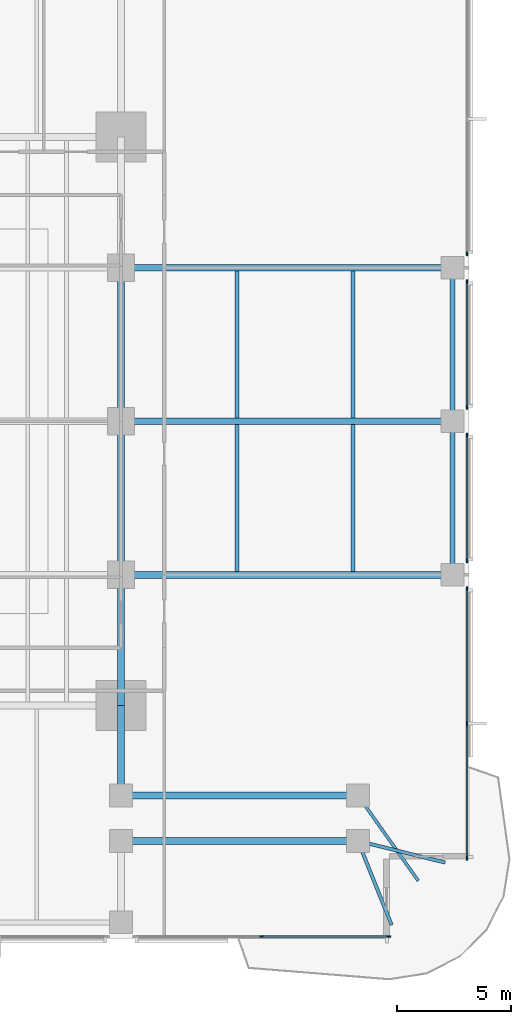
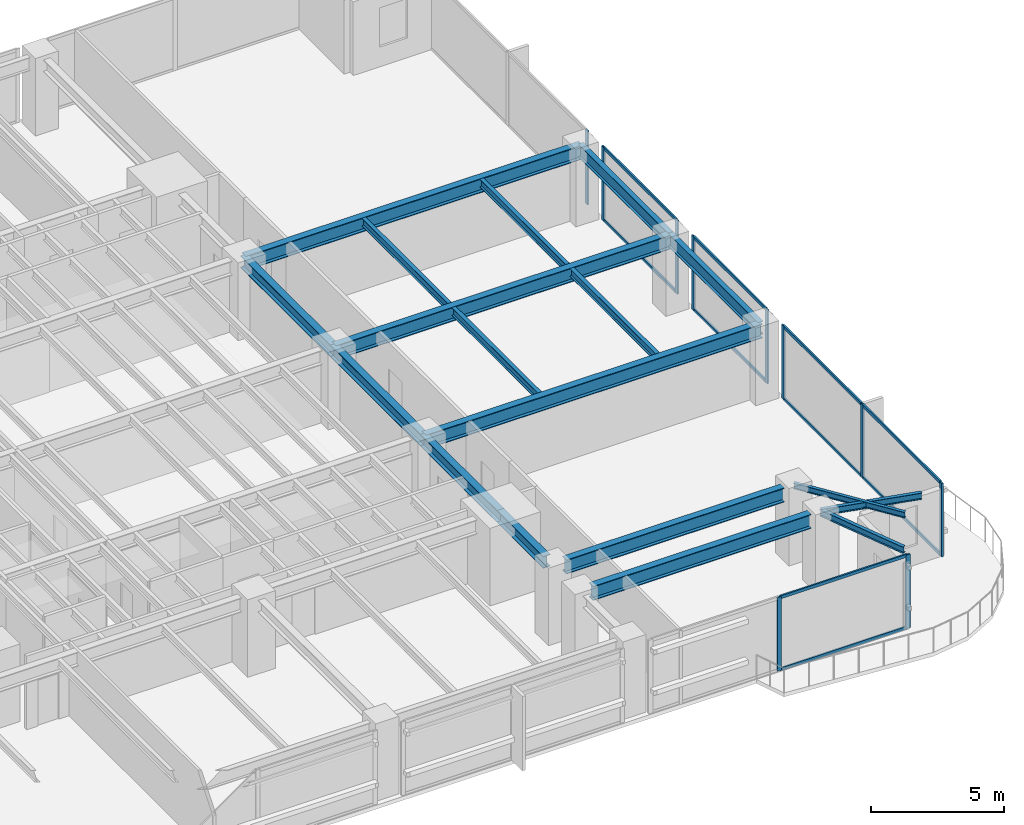
# One storey, part 4 of 15: 20 members, 18 beams, 5 elements without a shape of their own.
"""IFC4 building model written with IfcOpenShell, lengths in metres."""

import ifcopenshell
import ifcopenshell.guid

model = None  # the IFC model being written
_history = None  # IfcOwnerHistory: only IFC2X3 demands one
_inside = {}  # id of a spatial element -> (the spatial element, [elements in it])
_under = {}  # id of a project, library or spatial element -> (it, [spatial elements below it])
_declared = {}  # id of a project -> (the project, [libraries it declares])
_typed = {}  # id of a type object -> (the type object, [elements of that type])
_made_of = {}  # id of a material, layer set ... -> (it, [elements and type objects made of it])


def new_model(schema):
    """Start an empty IFC model of exactly this schema.

    Asked for "IFC4X3", IfcOpenShell would pick the latest addendum, in which some entities
    have other attributes; the version numbers below select the first issue.
    IFC2X3 requires an IfcOwnerHistory on every rooted entity: one is made here for all.
    """
    global model, _history
    if schema == "IFC4X3":
        model = ifcopenshell.file(schema_version=(4, 3, 0, 0))
    else:
        model = ifcopenshell.file(schema=schema)
    _inside.clear()
    _under.clear()
    _declared.clear()
    _typed.clear()
    _made_of.clear()
    _history = None
    if model.schema == "IFC2X3":
        org = make("IfcOrganization", Name="unknown")
        user = make(
            "IfcPersonAndOrganization",
            ThePerson=make("IfcPerson", FamilyName="unknown"),
            TheOrganization=org,
        )
        app = make(
            "IfcApplication",
            ApplicationDeveloper=org,
            Version="unknown",
            ApplicationFullName="unknown",
            ApplicationIdentifier="unknown",
        )
        _history = make(
            "IfcOwnerHistory",
            OwningUser=user,
            OwningApplication=app,
            ChangeAction="ADDED",
            CreationDate=0,
        )
    return model


def make(cls, **values):
    """One entity of the class cls with the attributes given. An attribute that is None is left unset."""
    return model.create_entity(
        cls, **{name: value for name, value in values.items() if value is not None}
    )


def rooted(cls, **values):
    """An entity with a GlobalId (a new one), such as an element, a storey or a relation."""
    return make(cls, GlobalId=ifcopenshell.guid.new(), OwnerHistory=_history, **values)


def si_unit(unit_type, name, prefix=None):
    """IfcSIUnit, for example si_unit("LENGTHUNIT", "METRE", prefix="MILLI")."""
    return make("IfcSIUnit", UnitType=unit_type, Prefix=prefix, Name=name)


def assignment(units):
    """IfcUnitAssignment: the units of a project."""
    return None if units is None else make("IfcUnitAssignment", Units=units)


def point(xyz):
    """IfcCartesianPoint."""
    return None if xyz is None else make("IfcCartesianPoint", Coordinates=xyz)


def direction(xyz):
    """IfcDirection."""
    return None if xyz is None else make("IfcDirection", DirectionRatios=xyz)


def frame(location, z_axis=None, x_axis=None):
    """IfcAxis2Placement3D, a coordinate frame: its origin and axes. An axis left out is left unset."""
    return make(
        "IfcAxis2Placement3D",
        Location=point(location),
        Axis=direction(z_axis),
        RefDirection=direction(x_axis),
    )


def frame_2d(location, x_axis=None):
    """IfcAxis2Placement2D, a coordinate frame in the plane: its origin and x axis."""
    return make(
        "IfcAxis2Placement2D", Location=point(location), RefDirection=direction(x_axis)
    )


def origin():
    """The frame at (0, 0, 0) with its axes left unset."""
    return frame((0.0, 0.0, 0.0))


def origin_2d():
    """The frame at (0, 0) in the plane with its x axis left unset."""
    return frame_2d((0.0, 0.0))


def place(relative_to, where):
    """IfcLocalPlacement: puts the frame where relative to a parent placement (None: the world)."""
    return make(
        "IfcLocalPlacement", PlacementRelTo=relative_to, RelativePlacement=where
    )


def context(
    kind, dimensions, precision=None, world=None, true_north=None, identifier=None
):
    """IfcGeometricRepresentationContext, for example the 3D "Model" context."""
    return make(
        "IfcGeometricRepresentationContext",
        ContextIdentifier=identifier,
        ContextType=kind,
        CoordinateSpaceDimension=dimensions,
        Precision=precision,
        WorldCoordinateSystem=world,
        TrueNorth=true_north,
    )


def subcontext(parent, identifier, kind, view, scale=None):
    """IfcGeometricRepresentationSubContext, for example "Body" below "Model"."""
    return make(
        "IfcGeometricRepresentationSubContext",
        ContextIdentifier=identifier,
        ContextType=kind,
        ParentContext=parent,
        TargetScale=scale,
        TargetView=view,
    )


def project(units=None, contexts=None):
    """IfcProject with its units and contexts."""
    return rooted(
        "IfcProject",
        Name="project",
        RepresentationContexts=contexts,
        UnitsInContext=assignment(units),
    )


def spatial(cls, under=None, at=None, **own):
    """A site, building, storey or space (cls), placed at a placement, below another one or the project."""
    s = rooted(cls, ObjectPlacement=at, **own)
    if under is not None:
        _under.setdefault(under.id(), (under, []))[1].append(s)
    return s


def profile(cls, at=None, kind="AREA", **sizes):
    """A parametric profile (cls). Its sizes go by their IFC names, for example OverallWidth=200.0."""
    return make(cls, ProfileType=kind, Position=at, **sizes)


def rectangle(**sizes):
    """IfcRectangleProfileDef."""
    return profile("IfcRectangleProfileDef", **sizes)


def i_section(**sizes):
    """IfcIShapeProfileDef."""
    return profile("IfcIShapeProfileDef", **sizes)


def extrude(swept, where, along, depth):
    """IfcExtrudedAreaSolid: the profile swept, set in the frame where, extruded along a direction by depth."""
    return make(
        "IfcExtrudedAreaSolid",
        SweptArea=swept,
        Position=where,
        ExtrudedDirection=direction(along),
        Depth=depth,
    )


def shape(context_of_items, identifier, shape_type, items):
    """IfcShapeRepresentation: the items that make up one representation, for example the "Body"."""
    return make(
        "IfcShapeRepresentation",
        ContextOfItems=context_of_items,
        RepresentationIdentifier=identifier,
        RepresentationType=shape_type,
        Items=items,
    )


def material(Name=None, Category=None):
    """IfcMaterial."""
    return make("IfcMaterial", Name=Name, Category=Category)


def layer(
    of_material, thickness, ventilated=None, Name=None, Category=None, Priority=None
):
    """IfcMaterialLayer: one layer of a wall or slab, of a material (None: an air gap)."""
    return make(
        "IfcMaterialLayer",
        Material=of_material,
        LayerThickness=thickness,
        IsVentilated=ventilated,
        Name=Name,
        Category=Category,
        Priority=Priority,
    )


def layer_set(layers, Name=None):
    """IfcMaterialLayerSet."""
    return make("IfcMaterialLayerSet", MaterialLayers=layers, LayerSetName=Name)


def material_profile(
    of_material, cross_section, Name=None, Category=None, Priority=None
):
    """IfcMaterialProfile: a cross section and its material."""
    return make(
        "IfcMaterialProfile",
        Name=Name,
        Material=of_material,
        Profile=cross_section,
        Priority=Priority,
        Category=Category,
    )


def profile_set(profiles, Name=None, composite=None):
    """IfcMaterialProfileSet."""
    return make(
        "IfcMaterialProfileSet",
        Name=Name,
        MaterialProfiles=profiles,
        CompositeProfile=composite,
    )


def made_of(thing, what):
    """Note that an element or type object is made of a material, layer set ...; save() writes the relation."""
    if what is not None:
        _made_of.setdefault(what.id(), (what, []))[1].append(thing)
    return thing


def type_object(cls, material=None, **own):
    """A type object (cls), such as IfcWallType, which elements share."""
    return made_of(rooted(cls, **own), material)


def element(
    cls,
    number,
    at=None,
    inside=None,
    cuts=None,
    type_object=None,
    material=None,
    context=None,
    identifier="Body",
    shape_type=None,
    held_by="IfcProductDefinitionShape",
    body=None,
    shapes=None,
    **own,
):
    """One element of the class cls, such as IfcWall. Its Tag is "e" and its number.

    at: its placement. inside: the storey or other place that contains it. cuts: it is an
    opening in that element (IfcRelVoidsElement). A single representation is given by context,
    identifier, shape_type and body (its items); several are given by shapes. held_by: the class
    of the entity that holds the representations. save() writes the other relations.
    """
    e = rooted(cls, Tag="e%d" % number, ObjectPlacement=at, **own)
    if body is not None:
        shapes = [shape(context, identifier, shape_type, body)]
    if shapes is not None:
        e.Representation = make(held_by, Representations=shapes)
    if inside is not None:
        _inside.setdefault(inside.id(), (inside, []))[1].append(e)
    if cuts is not None:
        rooted(
            "IfcRelVoidsElement", RelatingBuildingElement=cuts, RelatedOpeningElement=e
        )
    if type_object is not None:
        _typed.setdefault(type_object.id(), (type_object, []))[1].append(e)
    return made_of(e, material)


def aggregate(whole, parts):
    """IfcRelAggregates: a whole, such as a stair, and the parts it consists of."""
    return rooted("IfcRelAggregates", RelatingObject=whole, RelatedObjects=parts)


def save(model, path):
    """Write the relations noted so far, then the file.

    IfcRelAggregates (storeys below a building ...), IfcRelContainedInSpatialStructure (elements
    in a storey), IfcRelDefinesByType, IfcRelAssociatesMaterial and IfcRelDeclares: one each for
    every whole, place, type object, material and project.
    """
    for whole, parts in _under.values():
        aggregate(whole, parts)
    for where, things in _inside.values():
        rooted(
            "IfcRelContainedInSpatialStructure",
            RelatedElements=things,
            RelatingStructure=where,
        )
    for kind, things in _typed.values():
        rooted("IfcRelDefinesByType", RelatedObjects=things, RelatingType=kind)
    for what, things in _made_of.values():
        rooted("IfcRelAssociatesMaterial", RelatedObjects=things, RelatingMaterial=what)
    for by, libraries in _declared.values():
        rooted("IfcRelDeclares", RelatingContext=by, RelatedDefinitions=libraries)
    model.write(path)


model = new_model("IFC4")

# Units and contexts
model_context = context("Model", 3, precision=1e-05, world=origin(), true_north=direction((0.0, 1.0)))
body_context = subcontext(model_context, "Body", "Model", "MODEL_VIEW")
ifc_project = project(units=[si_unit("LENGTHUNIT", "METRE"), si_unit("AREAUNIT", "SQUARE_METRE"), si_unit("VOLUMEUNIT", "CUBIC_METRE"), si_unit("PLANEANGLEUNIT", "RADIAN"), si_unit("MASSUNIT", "GRAM", prefix="KILO")], contexts=[model_context])

# Site, building, storey
site_placement = place(None, origin())
site = spatial("IfcSite", under=ifc_project, at=site_placement, CompositionType="ELEMENT")
building_placement = place(site_placement, origin())
building = spatial("IfcBuilding", under=site, at=building_placement, Name="Kinhvarn Gate Tower", CompositionType="ELEMENT")
storey_placement = place(building_placement, frame((0.0, 0.0, 50.449951171875)))
storey = spatial("IfcBuildingStorey", under=building, at=storey_placement, Name="L12", CompositionType="ELEMENT", Elevation=50.449951171875)

# Curtain wall, members
ifc_material_1 = material(Name="Anodised aluminium AW-6063", Category="aluminium")
ifc_layer = layer(ifc_material_1, 0.179931640625)
ifc_layer_set = layer_set([ifc_layer], Name="Anodised aluminium AW-6063")
curtain_wall_type = type_object("IfcCurtainWallType", Name="CW-SYS-2", PredefinedType="NOTDEFINED", material=ifc_layer_set)
curtain_wall_1_placement = place(storey_placement, origin())
curtain_wall_1 = element("IfcCurtainWall", 1, at=curtain_wall_1_placement, inside=storey, type_object=curtain_wall_type, Name="Curtain Wall CW2 (L12)", PredefinedType="NOTDEFINED")
ifc_material_profile_1 = material_profile(ifc_material_1, rectangle(XDim=0.070068359375, YDim=0.179931640625, at=origin_2d()), Name="ALU 70x180")
ifc_profile_set_1 = profile_set([ifc_material_profile_1], Name="Anodised aluminium AW-6063")
member_type_1 = type_object("IfcMemberType", Name="CW-MUL-180", PredefinedType="MULLION", material=ifc_profile_set_1)
member_1_placement = place(storey_placement, frame((44.389892578125, 2.590087890625, 0.0), z_axis=(0.0, 0.0, 1.0), x_axis=(0.0, 1.0, 0.0)))
member_1 = element("IfcMember", 2, at=member_1_placement, type_object=member_type_1, Name="CW2 mullion 2", PredefinedType="MULLION", context=body_context, shape_type="SweptSolid", body=[
    extrude(rectangle(XDim=0.070068359375, YDim=0.179931640625, at=origin_2d()), origin(), (0.0, 0.0, 1.0), 3.3701171875),
])
member_2_placement = place(storey_placement, frame((49.965087890625, 2.590087890625, 0.0), z_axis=(0.0, 0.0, 1.0), x_axis=(0.0, 1.0, 0.0)))
member_2 = element("IfcMember", 3, at=member_2_placement, type_object=member_type_1, Name="CW2 mullion 3", PredefinedType="MULLION", context=body_context, shape_type="SweptSolid", body=[
    extrude(rectangle(XDim=0.070068359375, YDim=0.179931640625, at=origin_2d()), origin(), (0.0, 0.0, 1.0), 3.3701171875),
])

curtain_wall_2_placement = place(storey_placement, origin())
curtain_wall_2 = element("IfcCurtainWall", 4, at=curtain_wall_2_placement, inside=storey, type_object=curtain_wall_type, Name="Curtain Wall CW2 (L12)", PredefinedType="NOTDEFINED")
member_3_placement = place(storey_placement, frame((53.409912109375, 6.034912109375, 0.0), z_axis=(0.0, 0.0, 1.0), x_axis=(-1.0, 0.0, 0.0)))
member_3 = element("IfcMember", 5, at=member_3_placement, type_object=member_type_1, Name="CW2 mullion 1", PredefinedType="MULLION", context=body_context, shape_type="SweptSolid", body=[
    extrude(rectangle(XDim=0.070068359375, YDim=0.179931640625, at=origin_2d()), origin(), (0.0, 0.0, 1.0), 3.3701171875),
])
member_4_placement = place(storey_placement, frame((53.409912109375, 11.9599609375, 0.0), z_axis=(0.0, 0.0, 1.0), x_axis=(-1.0, 0.0, 0.0)))
member_4 = element("IfcMember", 6, at=member_4_placement, type_object=member_type_1, Name="CW2 mullion 2", PredefinedType="MULLION", context=body_context, shape_type="SweptSolid", body=[
    extrude(rectangle(XDim=0.070068359375, YDim=0.179931640625, at=origin_2d()), origin(), (0.0, 0.0, 1.0), 3.3701171875),
])
member_5_placement = place(storey_placement, frame((53.409912109375, 17.885009765625, 0.0), z_axis=(0.0, 0.0, 1.0), x_axis=(-1.0, 0.0, 0.0)))
member_5 = element("IfcMember", 7, at=member_5_placement, type_object=member_type_1, Name="CW2 mullion 3", PredefinedType="MULLION", context=body_context, shape_type="SweptSolid", body=[
    extrude(rectangle(XDim=0.070068359375, YDim=0.179931640625, at=origin_2d()), origin(), (0.0, 0.0, 1.0), 3.3701171875),
])

curtain_wall_3_placement = place(storey_placement, origin())
curtain_wall_3 = element("IfcCurtainWall", 8, at=curtain_wall_3_placement, inside=storey, type_object=curtain_wall_type, Name="Curtain Wall CW2 (L12)", PredefinedType="NOTDEFINED")
member_6_placement = place(storey_placement, frame((53.409912109375, 19.114990234375, 0.0), z_axis=(0.0, 0.0, 1.0), x_axis=(-1.0, 0.0, 0.0)))
member_6 = element("IfcMember", 9, at=member_6_placement, type_object=member_type_1, Name="CW2 mullion 1", PredefinedType="MULLION", context=body_context, shape_type="SweptSolid", body=[
    extrude(rectangle(XDim=0.070068359375, YDim=0.179931640625, at=origin_2d()), origin(), (0.0, 0.0, 1.0), 3.3701171875),
])
member_7_placement = place(storey_placement, frame((53.409912109375, 24.635009765625, 0.0), z_axis=(0.0, 0.0, 1.0), x_axis=(-1.0, 0.0, 0.0)))
member_7 = element("IfcMember", 10, at=member_7_placement, type_object=member_type_1, Name="CW2 mullion 2", PredefinedType="MULLION", context=body_context, shape_type="SweptSolid", body=[
    extrude(rectangle(XDim=0.070068359375, YDim=0.179931640625, at=origin_2d()), origin(), (0.0, 0.0, 1.0), 3.3701171875),
])

curtain_wall_4_placement = place(storey_placement, origin())
curtain_wall_4 = element("IfcCurtainWall", 11, at=curtain_wall_4_placement, inside=storey, type_object=curtain_wall_type, Name="Curtain Wall CW2 (L12)", PredefinedType="NOTDEFINED")
member_8_placement = place(storey_placement, frame((53.409912109375, 25.864990234375, 0.0), z_axis=(0.0, 0.0, 1.0), x_axis=(-1.0, 0.0, 0.0)))
member_8 = element("IfcMember", 12, at=member_8_placement, type_object=member_type_1, Name="CW2 mullion 1", PredefinedType="MULLION", context=body_context, shape_type="SweptSolid", body=[
    extrude(rectangle(XDim=0.070068359375, YDim=0.179931640625, at=origin_2d()), origin(), (0.0, 0.0, 1.0), 3.3701171875),
])
member_9_placement = place(storey_placement, frame((53.409912109375, 31.385009765625, 0.0), z_axis=(0.0, 0.0, 1.0), x_axis=(-1.0, 0.0, 0.0)))
member_9 = element("IfcMember", 13, at=member_9_placement, type_object=member_type_1, Name="CW2 mullion 2", PredefinedType="MULLION", context=body_context, shape_type="SweptSolid", body=[
    extrude(rectangle(XDim=0.070068359375, YDim=0.179931640625, at=origin_2d()), origin(), (0.0, 0.0, 1.0), 3.3701171875),
])

# Curtain wall, member
curtain_wall_5_placement = place(storey_placement, origin())
curtain_wall_5 = element("IfcCurtainWall", 14, at=curtain_wall_5_placement, inside=storey, type_object=curtain_wall_type, Name="Curtain Wall CW2 (L12)", PredefinedType="NOTDEFINED")
member_10_placement = place(storey_placement, frame((53.409912109375, 32.614990234375, 0.0), z_axis=(0.0, 0.0, 1.0), x_axis=(-1.0, 0.0, 0.0)))
member_10 = element("IfcMember", 15, at=member_10_placement, type_object=member_type_1, Name="CW2 mullion 1", PredefinedType="MULLION", context=body_context, shape_type="SweptSolid", body=[
    extrude(rectangle(XDim=0.070068359375, YDim=0.179931640625, at=origin_2d()), origin(), (0.0, 0.0, 1.0), 3.3701171875),
])
aggregate(curtain_wall_5, [member_10])

# Member
ifc_material_profile_2 = material_profile(ifc_material_1, rectangle(XDim=0.070068359375, YDim=0.139892578125, at=origin_2d()), Name="ALU 70x140")
ifc_profile_set_2 = profile_set([ifc_material_profile_2], Name="Anodised aluminium AW-6063")
member_type_2 = type_object("IfcMemberType", Name="CW-TRN-140", PredefinedType="USERDEFINED", material=ifc_profile_set_2)
member_11_placement = place(storey_placement, frame((44.425048828125, 2.590087890625, 0.03515625), z_axis=(1.0, 0.0, 0.0), x_axis=(0.0, 1.0, 0.0)))
member_11 = element("IfcMember", 16, at=member_11_placement, type_object=member_type_2, Name="CW2 transom 2.1", ObjectType="TRANSOM", PredefinedType="USERDEFINED", context=body_context, shape_type="SweptSolid", body=[
    extrude(rectangle(XDim=0.070068359375, YDim=0.139892578125, at=origin_2d()), origin(), (0.0, 0.0, 1.0), 5.5048828125),
])

member_12_placement = place(storey_placement, frame((44.425048828125, 2.590087890625, 3.3349609375), z_axis=(1.0, 0.0, 0.0), x_axis=(0.0, 1.0, 0.0)))
member_12 = element("IfcMember", 17, at=member_12_placement, type_object=member_type_2, Name="CW2 transom 2.2", ObjectType="TRANSOM", PredefinedType="USERDEFINED", context=body_context, shape_type="SweptSolid", body=[
    extrude(rectangle(XDim=0.070068359375, YDim=0.139892578125, at=origin_2d()), origin(), (0.0, 0.0, 1.0), 5.5048828125),
])

aggregate(curtain_wall_1, [member_1, member_2, member_11, member_12])

member_13_placement = place(storey_placement, frame((53.409912109375, 6.070068359375, 0.03515625), z_axis=(0.0, 1.0, 0.0), x_axis=(-1.0, 0.0, 0.0)))
member_13 = element("IfcMember", 18, at=member_13_placement, type_object=member_type_2, Name="CW2 transom 1.1", ObjectType="TRANSOM", PredefinedType="USERDEFINED", context=body_context, shape_type="SweptSolid", body=[
    extrude(rectangle(XDim=0.070068359375, YDim=0.139892578125, at=origin_2d()), origin(), (0.0, 0.0, 1.0), 5.85498046875),
])

member_14_placement = place(storey_placement, frame((53.409912109375, 6.070068359375, 3.3349609375), z_axis=(0.0, 1.0, 0.0), x_axis=(-1.0, 0.0, 0.0)))
member_14 = element("IfcMember", 19, at=member_14_placement, type_object=member_type_2, Name="CW2 transom 1.2", ObjectType="TRANSOM", PredefinedType="USERDEFINED", context=body_context, shape_type="SweptSolid", body=[
    extrude(rectangle(XDim=0.070068359375, YDim=0.139892578125, at=origin_2d()), origin(), (0.0, 0.0, 1.0), 5.85498046875),
])

member_15_placement = place(storey_placement, frame((53.409912109375, 11.9951171875, 0.03515625), z_axis=(0.0, 1.0, 0.0), x_axis=(-1.0, 0.0, 0.0)))
member_15 = element("IfcMember", 20, at=member_15_placement, type_object=member_type_2, Name="CW2 transom 2.1", ObjectType="TRANSOM", PredefinedType="USERDEFINED", context=body_context, shape_type="SweptSolid", body=[
    extrude(rectangle(XDim=0.070068359375, YDim=0.139892578125, at=origin_2d()), origin(), (0.0, 0.0, 1.0), 5.85498046875),
])

member_16_placement = place(storey_placement, frame((53.409912109375, 11.9951171875, 3.3349609375), z_axis=(0.0, 1.0, 0.0), x_axis=(-1.0, 0.0, 0.0)))
member_16 = element("IfcMember", 21, at=member_16_placement, type_object=member_type_2, Name="CW2 transom 2.2", ObjectType="TRANSOM", PredefinedType="USERDEFINED", context=body_context, shape_type="SweptSolid", body=[
    extrude(rectangle(XDim=0.070068359375, YDim=0.139892578125, at=origin_2d()), origin(), (0.0, 0.0, 1.0), 5.85498046875),
])

aggregate(curtain_wall_2, [member_3, member_4, member_5, member_13, member_14, member_15, member_16])

member_17_placement = place(storey_placement, frame((53.409912109375, 19.14990234375, 0.03515625), z_axis=(0.0, 1.0, 0.0), x_axis=(-1.0, 0.0, 0.0)))
member_17 = element("IfcMember", 22, at=member_17_placement, type_object=member_type_2, Name="CW2 transom 1.1", ObjectType="TRANSOM", PredefinedType="USERDEFINED", context=body_context, shape_type="SweptSolid", body=[
    extrude(rectangle(XDim=0.070068359375, YDim=0.139892578125, at=origin_2d()), origin(), (0.0, 0.0, 1.0), 5.4501953125),
])

member_18_placement = place(storey_placement, frame((53.409912109375, 19.14990234375, 3.3349609375), z_axis=(0.0, 1.0, 0.0), x_axis=(-1.0, 0.0, 0.0)))
member_18 = element("IfcMember", 23, at=member_18_placement, type_object=member_type_2, Name="CW2 transom 1.2", ObjectType="TRANSOM", PredefinedType="USERDEFINED", context=body_context, shape_type="SweptSolid", body=[
    extrude(rectangle(XDim=0.070068359375, YDim=0.139892578125, at=origin_2d()), origin(), (0.0, 0.0, 1.0), 5.4501953125),
])

aggregate(curtain_wall_3, [member_6, member_7, member_17, member_18])

member_19_placement = place(storey_placement, frame((53.409912109375, 25.89990234375, 0.03515625), z_axis=(0.0, 1.0, 0.0), x_axis=(-1.0, 0.0, 0.0)))
member_19 = element("IfcMember", 24, at=member_19_placement, type_object=member_type_2, Name="CW2 transom 1.1", ObjectType="TRANSOM", PredefinedType="USERDEFINED", context=body_context, shape_type="SweptSolid", body=[
    extrude(rectangle(XDim=0.070068359375, YDim=0.139892578125, at=origin_2d()), origin(), (0.0, 0.0, 1.0), 5.4501953125),
])

member_20_placement = place(storey_placement, frame((53.409912109375, 25.89990234375, 3.3349609375), z_axis=(0.0, 1.0, 0.0), x_axis=(-1.0, 0.0, 0.0)))
member_20 = element("IfcMember", 25, at=member_20_placement, type_object=member_type_2, Name="CW2 transom 1.2", ObjectType="TRANSOM", PredefinedType="USERDEFINED", context=body_context, shape_type="SweptSolid", body=[
    extrude(rectangle(XDim=0.070068359375, YDim=0.139892578125, at=origin_2d()), origin(), (0.0, 0.0, 1.0), 5.4501953125),
])

aggregate(curtain_wall_4, [member_8, member_9, member_19, member_20])

# Beams
ifc_material_2 = material(Name="Steel S355", Category="steel")
ifc_material_profile_3 = material_profile(ifc_material_2, i_section(OverallWidth=0.300048828125, OverallDepth=0.550048828125, WebThickness=0.014892578125, FlangeThickness=0.029052734375, at=origin_2d()), Name="HEB 550")
ifc_profile_set_3 = profile_set([ifc_material_profile_3], Name="Steel S355")
beam_type_1 = type_object("IfcBeamType", Name="STL-HEB550", PredefinedType="BEAM", material=ifc_profile_set_3)
beam_1_placement = place(storey_placement, frame((38.199951171875, 9.284912109375, 3.094970703125), z_axis=(0.0, 1.0, 0.0), x_axis=(-1.0, 0.0, 0.0)))
element("IfcBeam", 26, at=beam_1_placement, inside=storey, type_object=beam_type_1, Name="Floor Beam PG-15 (L12 MCE-S-A2)", PredefinedType="BEAM", context=body_context, shape_type="SweptSolid", body=[
    extrude(i_section(OverallWidth=0.300048828125, OverallDepth=0.550048828125, WebThickness=0.014892578125, FlangeThickness=0.029052734375, at=origin_2d()), origin(), (0.0, 0.0, 1.0), 3.465087890625),
])
beam_2_placement = place(storey_placement, frame((38.199951171875, 12.75, 3.094970703125), z_axis=(0.0, 1.0, 0.0), x_axis=(-1.0, 0.0, 0.0)))
element("IfcBeam", 27, at=beam_2_placement, inside=storey, type_object=beam_type_1, Name="Floor Beam PG-15 (L12 MG-E-12)", PredefinedType="BEAM", context=body_context, shape_type="SweptSolid", body=[
    extrude(i_section(OverallWidth=0.300048828125, OverallDepth=0.550048828125, WebThickness=0.014892578125, FlangeThickness=0.029052734375, at=origin_2d()), origin(), (0.0, 0.0, 1.0), 5.75),
])
for number, where, z_axis, x_axis, name in (
    (28, (38.199951171875, 18.5, 3.094970703125), (0.0, 1.0, 0.0), (-1.0, 0.0, 0.0), "Floor Beam PG-15 (L12 MG-E-18)"),
    (29, (38.199951171875, 25.25, 3.094970703125), (0.0, 1.0, 0.0), (-1.0, 0.0, 0.0), "Floor Beam PG-15 (L12 MG-E-25)"),
):
    element("IfcBeam", number, at=place(storey_placement, frame(where, z_axis=z_axis, x_axis=x_axis)), inside=storey, type_object=beam_type_1, Name=name, PredefinedType="BEAM", context=body_context, shape_type="SweptSolid", body=[
        extrude(i_section(OverallWidth=0.300048828125, OverallDepth=0.550048828125, WebThickness=0.014892578125, FlangeThickness=0.029052734375, at=origin_2d()), origin(), (0.0, 0.0, 1.0), 6.75),
    ])
ifc_material_profile_4 = material_profile(ifc_material_2, i_section(OverallWidth=0.300048828125, OverallDepth=0.64990234375, WebThickness=0.01611328125, FlangeThickness=0.031005859375, at=origin_2d()), Name="HEB 650")
ifc_profile_set_4 = profile_set([ifc_material_profile_4], Name="Steel S355")
beam_type_2 = type_object("IfcBeamType", Name="STL-HEB650", PredefinedType="BEAM", material=ifc_profile_set_4)
for number, where, z_axis, x_axis, name in (
    (30, (38.68505859375, 8.800048828125, 3.045166015625), (1.0, 0.0, 0.0), (0.0, 1.0, 0.0), "Floor Beam PG-17 (L12 SP-SE1B)"),
    (31, (38.68505859375, 6.800048828125, 3.045166015625), (1.0, 0.0, 0.0), (0.0, 1.0, 0.0), "Floor Beam PG-17 (L12 SP-SE1A)"),
):
    element("IfcBeam", number, at=place(storey_placement, frame(where, z_axis=z_axis, x_axis=x_axis)), inside=storey, type_object=beam_type_2, Name=name, PredefinedType="BEAM", context=body_context, shape_type="SweptSolid", body=[
        extrude(i_section(OverallWidth=0.300048828125, OverallDepth=0.64990234375, WebThickness=0.01611328125, FlangeThickness=0.031005859375, at=origin_2d()), origin(), (0.0, 0.0, 1.0), 9.449951171875),
    ])
for number, where, z_axis, x_axis, name in (
    (32, (38.199951171875, 18.5, 3.045166015625), (1.0, 0.0, 0.0), (0.0, 1.0, 0.0), "Floor Beam PG-17 (L12 EW2-Y18)"),
    (33, (38.199951171875, 25.25, 3.045166015625), (1.0, 0.0, 0.0), (0.0, 1.0, 0.0), "Floor Beam PG-17 (L12 EW2-Y25)"),
    (34, (38.199951171875, 32.0, 3.045166015625), (1.0, 0.0, 0.0), (0.0, 1.0, 0.0), "Floor Beam PG-17 (L12 EW2-Y32)"),
):
    element("IfcBeam", number, at=place(storey_placement, frame(where, z_axis=z_axis, x_axis=x_axis)), inside=storey, type_object=beam_type_2, Name=name, PredefinedType="BEAM", context=body_context, shape_type="SweptSolid", body=[
        extrude(i_section(OverallWidth=0.300048828125, OverallDepth=0.64990234375, WebThickness=0.01611328125, FlangeThickness=0.031005859375, at=origin_2d()), origin(), (0.0, 0.0, 1.0), 14.580078125),
    ])
ifc_material_profile_5 = material_profile(ifc_material_2, i_section(OverallWidth=0.135009765625, OverallDepth=0.27001953125, WebThickness=0.006591796875, FlangeThickness=0.01025390625, at=origin_2d()), Name="IPE 270")
ifc_profile_set_5 = profile_set([ifc_material_profile_5], Name="Steel S355")
beam_type_3 = type_object("IfcBeamType", Name="STL-IPE270", PredefinedType="JOIST", material=ifc_profile_set_5)
beam_3_placement = place(storey_placement, frame((48.6201171875, 8.800048828125, 3.235107421875), z_axis=(0.57709644225, -0.81667600451, 0.0), x_axis=(0.81667600451, 0.57709644225, 0.0)))
element("IfcBeam", 35, at=beam_3_placement, inside=storey, type_object=beam_type_3, Name="Floor Joist SB-01 (L12 BAL-B3-L13)", PredefinedType="JOIST", context=body_context, shape_type="SweptSolid", body=[
    extrude(i_section(OverallWidth=0.135009765625, OverallDepth=0.27001953125, WebThickness=0.006591796875, FlangeThickness=0.01025390625, at=origin_2d()), origin(), (0.0, 0.0, 1.0), 4.591796875),
])
ifc_material_profile_6 = material_profile(ifc_material_2, i_section(OverallWidth=0.14990234375, OverallDepth=0.300048828125, WebThickness=0.007080078125, FlangeThickness=0.0107421875, at=origin_2d()), Name="IPE 300")
ifc_profile_set_6 = profile_set([ifc_material_profile_6], Name="Steel S355")
beam_type_4 = type_object("IfcBeamType", Name="STL-IPE300", PredefinedType="JOIST", material=ifc_profile_set_6)
beam_4_placement = place(storey_placement, frame((48.6201171875, 6.800048828125, 3.219970703125), z_axis=(0.97058851083, -0.240744558911, 0.0), x_axis=(0.240744558911, 0.97058851083, 0.0)))
element("IfcBeam", 36, at=beam_4_placement, inside=storey, type_object=beam_type_4, Name="Floor Joist SB-02 (L12 BAL-B1-L13)", PredefinedType="JOIST", context=body_context, shape_type="SweptSolid", body=[
    extrude(i_section(OverallWidth=0.14990234375, OverallDepth=0.300048828125, WebThickness=0.007080078125, FlangeThickness=0.0107421875, at=origin_2d()), origin(), (0.0, 0.0, 1.0), 3.94580078125),
])
beam_5_placement = place(storey_placement, frame((48.6201171875, 6.800048828125, 3.219970703125), z_axis=(0.371390676354, -0.928476690885, 0.0), x_axis=(0.928476690885, 0.371390676354, 0.0)))
element("IfcBeam", 37, at=beam_5_placement, inside=storey, type_object=beam_type_4, Name="Floor Joist SB-02 (L12 BAL-B2-L13)", PredefinedType="JOIST", context=body_context, shape_type="SweptSolid", body=[
    extrude(i_section(OverallWidth=0.14990234375, OverallDepth=0.300048828125, WebThickness=0.007080078125, FlangeThickness=0.0107421875, at=origin_2d()), origin(), (0.0, 0.0, 1.0), 3.98486328125),
])
ifc_material_profile_7 = material_profile(ifc_material_2, i_section(OverallWidth=0.169921875, OverallDepth=0.360107421875, WebThickness=0.008056640625, FlangeThickness=0.0126953125, at=origin_2d()), Name="IPE 360")
ifc_profile_set_7 = profile_set([ifc_material_profile_7], Name="Steel S355")
beam_type_5 = type_object("IfcBeamType", Name="STL-IPE360", PredefinedType="JOIST", material=ifc_profile_set_7)
for number, where, z_axis, x_axis, name in (
    (38, (43.300048828125, 18.64990234375, 3.18994140625), (0.0, 1.0, 0.0), (-1.0, 0.0, 0.0), "Floor Joist SB-04 (L12 JC-X433-1)"),
    (39, (43.300048828125, 25.39990234375, 3.18994140625), (0.0, 1.0, 0.0), (-1.0, 0.0, 0.0), "Floor Joist SB-04 (L12 JC-X433-2)"),
    (40, (48.409912109375, 18.64990234375, 3.18994140625), (0.0, 1.0, 0.0), (-1.0, 0.0, 0.0), "Floor Joist SB-04 (L12 JC-X484-1)"),
    (41, (48.409912109375, 25.39990234375, 3.18994140625), (0.0, 1.0, 0.0), (-1.0, 0.0, 0.0), "Floor Joist SB-04 (L12 JC-X484-2)"),
):
    element("IfcBeam", number, at=place(storey_placement, frame(where, z_axis=z_axis, x_axis=x_axis)), inside=storey, type_object=beam_type_5, Name=name, PredefinedType="JOIST", context=body_context, shape_type="SweptSolid", body=[
        extrude(i_section(OverallWidth=0.169921875, OverallDepth=0.360107421875, WebThickness=0.008056640625, FlangeThickness=0.0126953125, at=origin_2d()), origin(), (0.0, 0.0, 1.0), 6.4501953125),
    ])
ifc_material_profile_8 = material_profile(ifc_material_2, i_section(OverallWidth=0.219970703125, OverallDepth=0.60009765625, WebThickness=0.011962890625, FlangeThickness=0.01904296875, at=origin_2d()), Name="IPE 600")
ifc_profile_set_8 = profile_set([ifc_material_profile_8], Name="Steel S355")
beam_type_6 = type_object("IfcBeamType", Name="STL-IPE600", PredefinedType="SPANDREL", material=ifc_profile_set_8)
for number, where, z_axis, x_axis, name in (
    (42, (52.780029296875, 18.5, 3.070068359375), (0.0, 1.0, 0.0), (-1.0, 0.0, 0.0), "Floor Spandrel SB-09 (L12 SP-E2)"),
    (43, (52.780029296875, 25.25, 3.070068359375), (0.0, 1.0, 0.0), (-1.0, 0.0, 0.0), "Floor Spandrel SB-09 (L12 SP-E3)"),
):
    element("IfcBeam", number, at=place(storey_placement, frame(where, z_axis=z_axis, x_axis=x_axis)), inside=storey, type_object=beam_type_6, Name=name, PredefinedType="SPANDREL", context=body_context, shape_type="SweptSolid", body=[
        extrude(i_section(OverallWidth=0.219970703125, OverallDepth=0.60009765625, WebThickness=0.011962890625, FlangeThickness=0.01904296875, at=origin_2d()), origin(), (0.0, 0.0, 1.0), 6.75),
    ])

save(model, "model.ifc")
